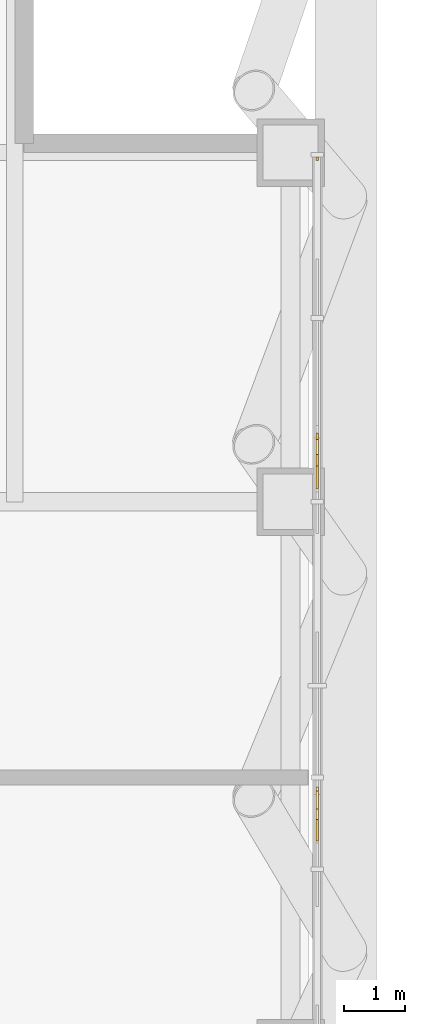
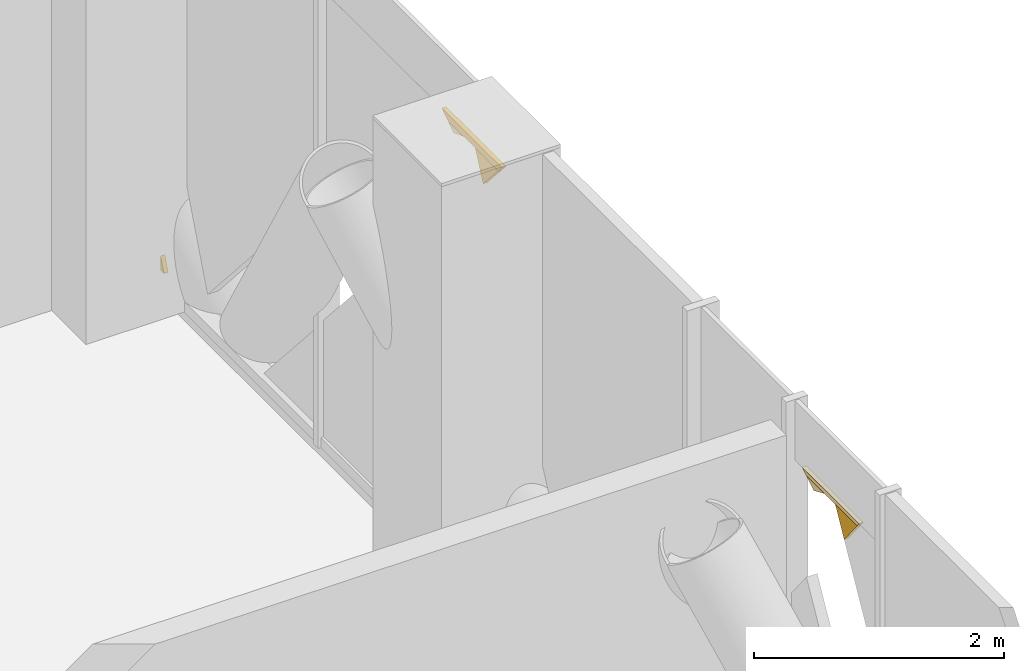
# One storey, part 27 of 29: 7 coverings.
"""IFC4 building model written with IfcOpenShell, lengths in metres."""

from ifc_helpers import new_model, si_unit, direction, frame, origin, place, context, subcontext, project, spatial, polyline, outline, extrude, material, layer, layer_set, type_object, element, save


model = new_model("IFC4")

# Units and contexts
model_context = context("Model", 3, precision=1e-05, world=origin(), true_north=direction((0.0, 1.0)))
body_context = subcontext(model_context, "Body", "Model", "MODEL_VIEW")
ifc_project = project(units=[si_unit("LENGTHUNIT", "METRE"), si_unit("AREAUNIT", "SQUARE_METRE"), si_unit("VOLUMEUNIT", "CUBIC_METRE"), si_unit("PLANEANGLEUNIT", "RADIAN"), si_unit("MASSUNIT", "GRAM", prefix="KILO")], contexts=[model_context])

# Site, building, storey
site_placement = place(None, origin())
site = spatial("IfcSite", under=ifc_project, at=site_placement, CompositionType="ELEMENT")
building_placement = place(site_placement, origin())
building = spatial("IfcBuilding", under=site, at=building_placement, Name="Malebo Sky Hospital", CompositionType="ELEMENT")
storey_placement = place(building_placement, frame((0.0, 0.0, 172.0)))
storey = spatial("IfcBuildingStorey", under=building, at=storey_placement, Name="L41", CompositionType="ELEMENT", Elevation=172.0)

# Coverings
ifc_material = material(Name="Anodised aluminium, natural silver insulated infill panel", Category="aluminium")
ifc_layer = layer(ifc_material, 0.0400390625)
ifc_layer_set = layer_set([ifc_layer], Name="BRACE INFILL PANEL 40")
covering_type = type_object("IfcCoveringType", Name="BRACE INFILL PANEL 40", PredefinedType="CLADDING", material=ifc_layer_set)
covering_1_placement = place(storey_placement, frame((84.135009765625, 81.09765625, 0.10009765625), z_axis=(0.0, 0.0, 1.0), x_axis=(0.0, -1.0, 0.0)))
element("IfcCovering", 1, at=covering_1_placement, inside=storey, type_object=covering_type, Name="Brace infill panel 1.2", PredefinedType="CLADDING", context=body_context, shape_type="SweptSolid", body=[
    extrude(outline(polyline([(-0.02734375, 0.0), (0.02734375, 0.0), (-0.02734375, 0.1416015625), (-0.02734375, 0.0)])), frame((0.0, 0.02001953125, 0.0), z_axis=(0.0, -1.0, 0.0), x_axis=(1.0, 0.0, 0.0)), (0.0, 0.0, 1.0), 0.0400390625),
])
covering_2_placement = place(storey_placement, frame((84.135009765625, 75.900146484375, 4.079833984375), z_axis=(0.0, 0.0, 1.0), x_axis=(0.0, -1.0, 0.0)))
element("IfcCovering", 2, at=covering_2_placement, inside=storey, type_object=covering_type, Name="Brace infill panel 2.4", PredefinedType="CLADDING", context=body_context, shape_type="SweptSolid", body=[
    extrude(outline(polyline([(-0.05615234375, 0.0), (0.18408203125, 0.2724609375), (-0.18408203125, 0.2724609375), (-0.05615234375, 0.0)])), frame((0.0, 0.02001953125, 0.0), z_axis=(0.0, -1.0, 0.0), x_axis=(1.0, 0.0, 0.0)), (0.0, 0.0, 1.0), 0.0400390625),
])
covering_3_placement = place(storey_placement, frame((84.135009765625, 76.397216796875, 4.2919921875), z_axis=(0.0, 0.0, 1.0), x_axis=(0.0, -1.0, 0.0)))
element("IfcCovering", 3, at=covering_3_placement, inside=storey, type_object=covering_type, Name="Brace infill panel 2.5", PredefinedType="CLADDING", context=body_context, shape_type="SweptSolid", body=[
    extrude(outline(polyline([(-0.0322265625, 0.0), (0.122802734375, 0.060302734375), (-0.122802734375, 0.060302734375), (-0.0322265625, 0.0)])), frame((0.0, 0.02001953125, 0.0), z_axis=(0.0, -1.0, 0.0), x_axis=(1.0, 0.0, 0.0)), (0.0, 0.0, 1.0), 0.0400390625),
])
covering_4_placement = place(storey_placement, frame((84.135009765625, 76.138916015625, 4.3525390625), z_axis=(0.0, 0.0, 1.0), x_axis=(0.0, -1.0, 0.0)))
element("IfcCovering", 4, at=covering_4_placement, inside=storey, type_object=covering_type, Name="Brace infill panel 2.6", PredefinedType="CLADDING", context=body_context, shape_type="SweptSolid", body=[
    extrude(outline(polyline([(-0.381103515625, 0.0), (0.423095703125, 0.0), (0.481689453125, 0.066650390625), (-0.481689453125, 0.066650390625), (-0.381103515625, 0.0)])), frame((0.0, 0.02001953125, 0.0), z_axis=(0.0, -1.0, 0.0), x_axis=(1.0, 0.0, 0.0)), (0.0, 0.0, 1.0), 0.0400390625),
])
covering_5_placement = place(storey_placement, frame((84.135009765625, 70.14013671875, 4.10888671875), z_axis=(0.0, 0.0, 1.0), x_axis=(0.0, -1.0, 0.0)))
element("IfcCovering", 5, at=covering_5_placement, inside=storey, type_object=covering_type, Name="Brace infill panel 5.3", PredefinedType="CLADDING", context=body_context, shape_type="SweptSolid", body=[
    extrude(outline(polyline([(-0.031982421875, 0.0), (0.175048828125, 0.259033203125), (-0.175048828125, 0.259033203125), (-0.031982421875, 0.0)])), frame((0.0, 0.02001953125, 0.0), z_axis=(0.0, -1.0, 0.0), x_axis=(1.0, 0.0, 0.0)), (0.0, 0.0, 1.0), 0.0400390625),
])
covering_6_placement = place(storey_placement, frame((84.135009765625, 70.634033203125, 4.29296875), z_axis=(0.0, 0.0, 1.0), x_axis=(0.0, -1.0, 0.0)))
element("IfcCovering", 6, at=covering_6_placement, inside=storey, type_object=covering_type, Name="Brace infill panel 5.4", PredefinedType="CLADDING", context=body_context, shape_type="SweptSolid", body=[
    extrude(outline(polyline([(-0.023681640625, 0.0), (0.1474609375, 0.074951171875), (-0.1474609375, 0.074951171875), (-0.023681640625, 0.0)])), frame((0.0, 0.02001953125, 0.0), z_axis=(0.0, -1.0, 0.0), x_axis=(1.0, 0.0, 0.0)), (0.0, 0.0, 1.0), 0.0400390625),
])
covering_7_placement = place(storey_placement, frame((84.135009765625, 70.390380859375, 4.36767578125), z_axis=(0.0, 0.0, 1.0), x_axis=(0.0, -1.0, 0.0)))
element("IfcCovering", 7, at=covering_7_placement, inside=storey, type_object=covering_type, Name="Brace infill panel 5.5", PredefinedType="CLADDING", context=body_context, shape_type="SweptSolid", body=[
    extrude(outline(polyline([(-0.39111328125, 0.0), (0.42529296875, 0.0), (0.45751953125, 0.040283203125), (-0.45751953125, 0.040283203125), (-0.39111328125, 0.0)])), frame((0.0, 0.02001953125, 0.0), z_axis=(0.0, -1.0, 0.0), x_axis=(1.0, 0.0, 0.0)), (0.0, 0.0, 1.0), 0.0400390625),
])

save(model, "model.ifc")
